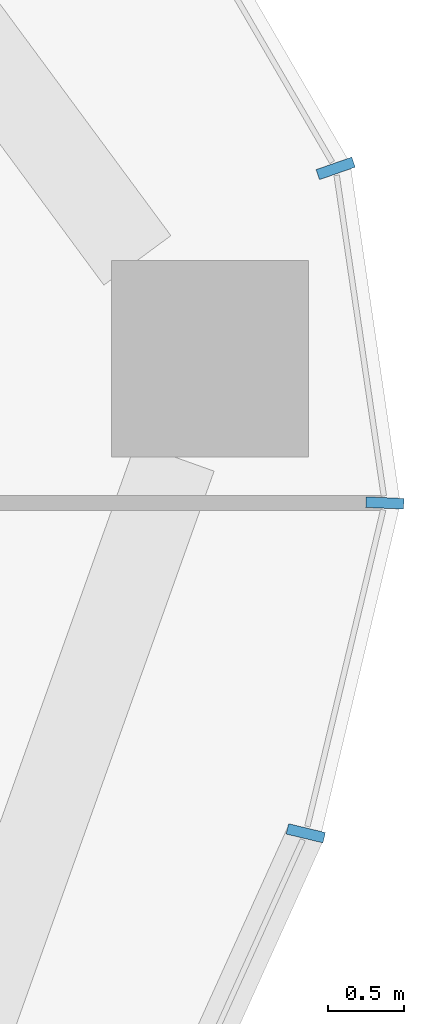
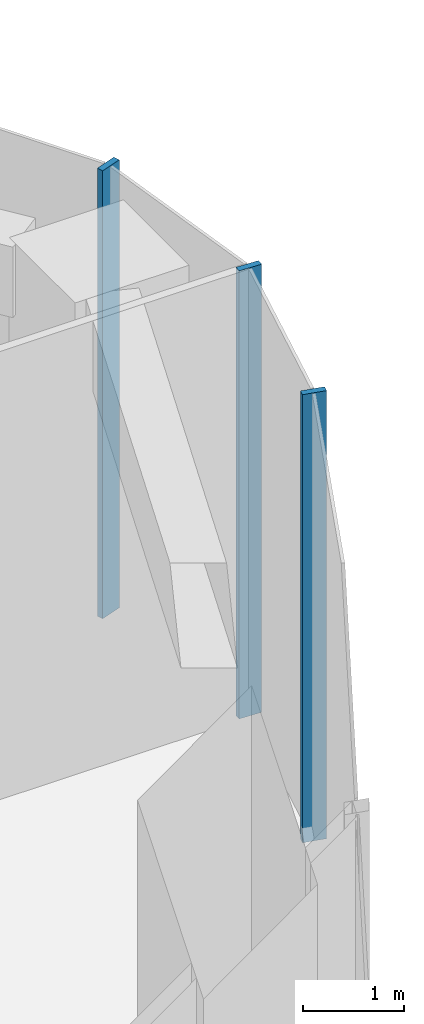
# One storey, part 8 of 18: 3 members, 1 element without a shape of its own.
"""IFC4 building model written with IfcOpenShell, lengths in metres."""

from ifc_helpers import new_model, si_unit, direction, frame, origin, origin_2d, place, context, subcontext, project, spatial, rectangle, extrude, material, layer, layer_set, material_profile, profile_set, type_object, element, aggregate, save


model = new_model("IFC4")

# Units and contexts
model_context = context("Model", 3, precision=1e-05, world=origin(), true_north=direction((0.0, 1.0)))
body_context = subcontext(model_context, "Body", "Model", "MODEL_VIEW")
ifc_project = project(units=[si_unit("LENGTHUNIT", "METRE"), si_unit("AREAUNIT", "SQUARE_METRE"), si_unit("VOLUMEUNIT", "CUBIC_METRE"), si_unit("PLANEANGLEUNIT", "RADIAN"), si_unit("MASSUNIT", "GRAM", prefix="KILO")], contexts=[model_context])

# Site, building, storey
site_placement = place(None, origin())
site = spatial("IfcSite", under=ifc_project, at=site_placement, CompositionType="ELEMENT")
building_placement = place(site_placement, origin())
building = spatial("IfcBuilding", under=site, at=building_placement, Name="Dongbaek Canopy Tower", CompositionType="ELEMENT")
storey_placement = place(building_placement, frame((0.0, 0.0, 139.60009765625)))
storey = spatial("IfcBuildingStorey", under=building, at=storey_placement, Name="L31", CompositionType="ELEMENT", Elevation=139.60009765625)

# Curtain wall, members
ifc_material_1 = material(Name="Aluminium 6063-T6 pale anodised", Category="aluminium")
ifc_layer = layer(ifc_material_1, 0.25)
ifc_layer_set = layer_set([ifc_layer], Name="CW-4 sky-lobby curtain wall")
curtain_wall_type = type_object("IfcCurtainWallType", Name="CW-4 sky-lobby curtain wall", PredefinedType="NOTDEFINED", material=ifc_layer_set)
curtain_wall_placement = place(storey_placement, origin())
curtain_wall = element("IfcCurtainWall", 1, at=curtain_wall_placement, inside=storey, type_object=curtain_wall_type, Name="CW-4 curtain wall K0.1", PredefinedType="NOTDEFINED")
ifc_material_2 = material(Name="Aluminium 6063-T6 pale anodised", Category="aluminium")
ifc_material_profile = material_profile(ifc_material_2, rectangle(XDim=0.25, YDim=0.070068359375, at=origin_2d()), Name="CW-4 mullion 70 x 250")
ifc_profile_set = profile_set([ifc_material_profile], Name="Aluminium 6063-T6 pale anodised")
member_type = type_object("IfcMemberType", Name="CW-4 mullion 70 x 250", PredefinedType="MULLION", material=ifc_profile_set)
member_1_placement = place(storey_placement, frame((30.44384765625, 3.34716796875, 0.0), z_axis=(0.0, 0.0, 1.0), x_axis=(0.972514979669, -0.23284031936, 0.0)))
member_1 = element("IfcMember", 2, at=member_1_placement, type_object=member_type, Name="CW-4 mullion K0.1.1", PredefinedType="MULLION", context=body_context, shape_type="SweptSolid", body=[
    extrude(rectangle(XDim=0.25, YDim=0.070068359375, at=origin_2d()), origin(), (0.0, 0.0, 1.0), 5.39990234375),
])
member_2_placement = place(storey_placement, frame((30.96630859375, 5.529296875, 0.0), z_axis=(0.0, 0.0, 1.0), x_axis=(0.999011658799, -0.044448909805, 0.0)))
member_2 = element("IfcMember", 3, at=member_2_placement, type_object=member_type, Name="CW-4 mullion K0.1.2", PredefinedType="MULLION", context=body_context, shape_type="SweptSolid", body=[
    extrude(rectangle(XDim=0.25, YDim=0.070068359375, at=origin_2d()), origin(), (0.0, 0.0, 1.0), 5.39990234375),
])
member_3_placement = place(storey_placement, frame((30.64111328125, 7.739501953125, 0.0), z_axis=(0.0, 0.0, 1.0), x_axis=(0.943881802226, 0.330283428933, 0.0)))
member_3 = element("IfcMember", 4, at=member_3_placement, type_object=member_type, Name="CW-4 mullion K0.1.3", PredefinedType="MULLION", context=body_context, shape_type="SweptSolid", body=[
    extrude(rectangle(XDim=0.25, YDim=0.070068359375, at=origin_2d()), origin(), (0.0, 0.0, 1.0), 5.39990234375),
])
aggregate(curtain_wall, [member_1, member_2, member_3])

save(model, "model.ifc")
